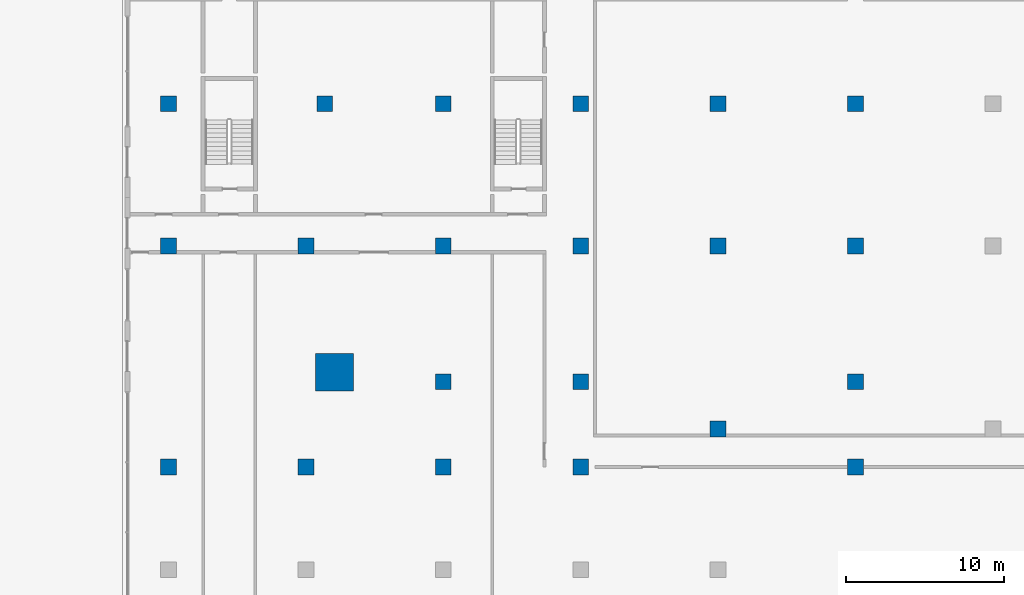
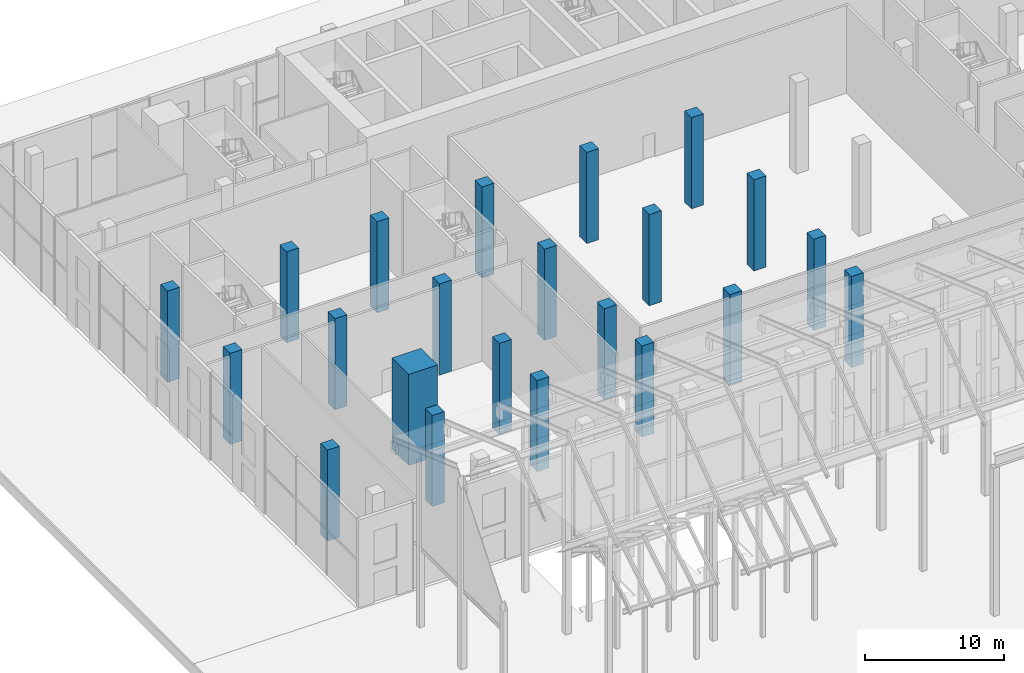
# One storey, part 4 of 31: 22 columns.
"""IFC4 building model written with IfcOpenShell, lengths in metres."""

from ifc_helpers import new_model, si_unit, direction, frame, origin, origin_2d, place, context, subcontext, project, spatial, rectangle, extrude, material, material_profile, profile_set, type_object, element, save


model = new_model("IFC4")

# Units and contexts
model_context = context("Model", 3, precision=1e-05, world=origin(), true_north=direction((0.0, 1.0)))
body_context = subcontext(model_context, "Body", "Model", "MODEL_VIEW")
ifc_project = project(units=[si_unit("LENGTHUNIT", "METRE"), si_unit("AREAUNIT", "SQUARE_METRE"), si_unit("VOLUMEUNIT", "CUBIC_METRE"), si_unit("PLANEANGLEUNIT", "RADIAN"), si_unit("MASSUNIT", "GRAM", prefix="KILO")], contexts=[model_context])

# Site, building, storey
site_placement = place(None, origin())
site = spatial("IfcSite", under=ifc_project, at=site_placement, CompositionType="ELEMENT")
building_placement = place(site_placement, origin())
building = spatial("IfcBuilding", under=site, at=building_placement, Name="Bicima Exchange Tower", CompositionType="ELEMENT")
storey_placement = place(building_placement, origin())
storey = spatial("IfcBuildingStorey", under=building, at=storey_placement, Name="L00", CompositionType="ELEMENT", Elevation=0.0)

# Columns
ifc_material = material(Name="Concrete C60/75", Category="concrete")
ifc_material_profile_1 = material_profile(ifc_material, rectangle(XDim=2.39990234375, YDim=2.39990234375, at=origin_2d()))
ifc_profile_set_1 = profile_set([ifc_material_profile_1], Name="Concrete C60/75")
column_type_1 = type_object("IfcColumnType", Name="Reinforced concrete mega column 2400 x 2400", PredefinedType="COLUMN", material=ifc_profile_set_1)
column_placement = place(storey_placement, frame((-33.0, -39.0, 0.0), z_axis=(0.0, 0.0, 1.0), x_axis=(1.0, 0.0, 0.0)))
element("IfcColumn", 1, at=column_placement, inside=storey, type_object=column_type_1, Name="Mega column", PredefinedType="COLUMN", context=body_context, shape_type="SweptSolid", body=[
    extrude(rectangle(XDim=2.39990234375, YDim=2.39990234375, at=origin_2d()), origin(), (0.0, 0.0, 1.0), 8.0),
])
ifc_material_profile_2 = material_profile(ifc_material, rectangle(XDim=1.0, YDim=1.0, at=origin_2d()))
ifc_profile_set_2 = profile_set([ifc_material_profile_2], Name="Concrete C60/75")
column_type_2 = type_object("IfcColumnType", Name="Reinforced concrete podium column 1000 x 1000", PredefinedType="COLUMN", material=ifc_profile_set_2)
for number, where, z_axis, x_axis, name in (
    (2, (-26.10009765625, -39.60009765625, 0.0), (0.0, 0.0, 1.0), (1.0, 0.0, 0.0), "Column"),
    (3, (-17.39990234375, -39.60009765625, 0.0), (0.0, 0.0, 1.0), (1.0, 0.0, 0.0), "Column"),
    (4, (-8.699951171875, -42.591064453125, 0.0), (0.0, 0.0, 1.0), (1.0, 0.0, 0.0), "Column"),
    (5, (0.0, -39.60009765625, 0.0), (0.0, 0.0, 1.0), (1.0, 0.0, 0.0), "Column"),
    (6, (-33.60009765625, -22.0, 0.0), (0.0, 0.0, 1.0), (1.0, 0.0, 0.0), "Column"),
    (7, (-26.10009765625, -22.0, 0.0), (0.0, 0.0, 1.0), (1.0, 0.0, 0.0), "Column"),
    (8, (-17.39990234375, -22.0, 0.0), (0.0, 0.0, 1.0), (1.0, 0.0, 0.0), "Column"),
    (9, (-8.699951171875, -22.0, 0.0), (0.0, 0.0, 1.0), (1.0, 0.0, 0.0), "Column"),
    (10, (0.0, -22.0, 0.0), (0.0, 0.0, 1.0), (1.0, 0.0, 0.0), "Column"),
    (11, (-43.5, -22.0, 0.0), (0.0, 0.0, 1.0), (1.0, 0.0, 0.0), "Column"),
    (12, (-43.5, -31.0, 0.0), (0.0, 0.0, 1.0), (1.0, 0.0, 0.0), "Column"),
    (13, (-43.5, -45.0, 0.0), (0.0, 0.0, 1.0), (1.0, 0.0, 0.0), "Column"),
    (14, (-34.800048828125, -31.0, 0.0), (0.0, 0.0, 1.0), (1.0, 0.0, 0.0), "Column"),
    (15, (-34.800048828125, -45.0, 0.0), (0.0, 0.0, 1.0), (1.0, 0.0, 0.0), "Column"),
    (16, (-26.10009765625, -31.0, 0.0), (0.0, 0.0, 1.0), (1.0, 0.0, 0.0), "Column"),
    (17, (-26.10009765625, -45.0, 0.0), (0.0, 0.0, 1.0), (1.0, 0.0, 0.0), "Column"),
    (18, (-17.39990234375, -31.0, 0.0), (0.0, 0.0, 1.0), (1.0, 0.0, 0.0), "Column"),
    (19, (-17.39990234375, -45.0, 0.0), (0.0, 0.0, 1.0), (1.0, 0.0, 0.0), "Column"),
    (20, (-8.699951171875, -31.0, 0.0), (0.0, 0.0, 1.0), (1.0, 0.0, 0.0), "Column"),
    (21, (0.0, -31.0, 0.0), (0.0, 0.0, 1.0), (1.0, 0.0, 0.0), "Column"),
    (22, (0.0, -45.0, 0.0), (0.0, 0.0, 1.0), (1.0, 0.0, 0.0), "Column"),
):
    element("IfcColumn", number, at=place(storey_placement, frame(where, z_axis=z_axis, x_axis=x_axis)), inside=storey, type_object=column_type_2, Name=name, PredefinedType="COLUMN", context=body_context, shape_type="SweptSolid", body=[
        extrude(rectangle(XDim=1.0, YDim=1.0, at=origin_2d()), origin(), (0.0, 0.0, 1.0), 8.0),
    ])

save(model, "model.ifc")
